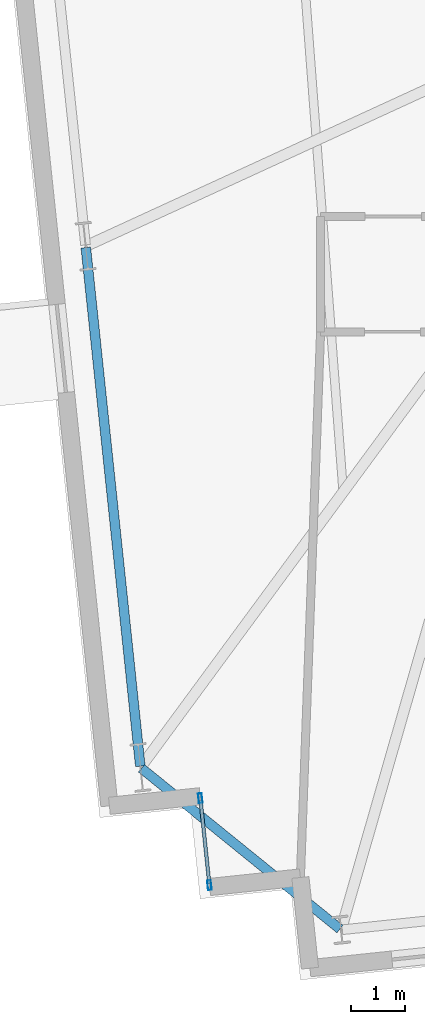
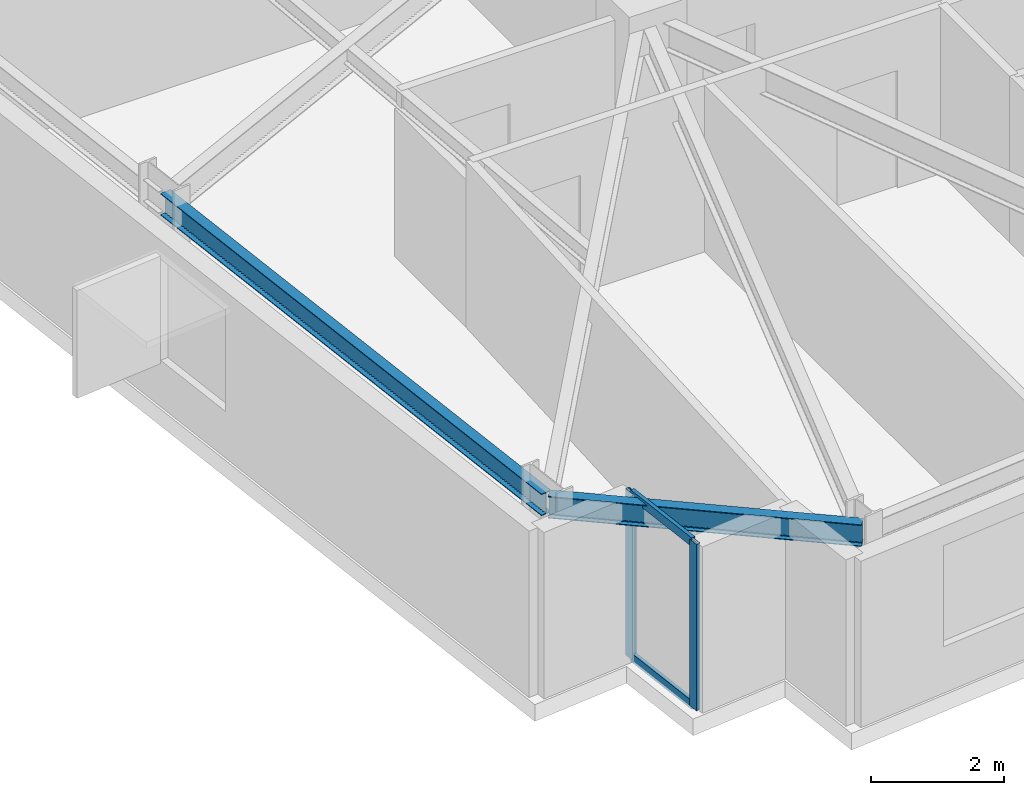
# One storey, part 4 of 18: 4 members, 2 beams, 1 element without a shape of its own.
"""IFC4 building model written with IfcOpenShell, lengths in metres."""

from ifc_helpers import new_model, si_unit, direction, frame, origin, origin_2d, place, context, subcontext, project, spatial, hollow_rectangle, i_section, extrude, material, layer, layer_set, material_profile, profile_set, type_object, element, aggregate, save


model = new_model("IFC4")

# Units and contexts
model_context = context("Model", 3, precision=1e-05, world=origin(), true_north=direction((0.0, 1.0)))
body_context = subcontext(model_context, "Body", "Model", "MODEL_VIEW")
ifc_project = project(units=[si_unit("LENGTHUNIT", "METRE"), si_unit("AREAUNIT", "SQUARE_METRE"), si_unit("VOLUMEUNIT", "CUBIC_METRE"), si_unit("PLANEANGLEUNIT", "RADIAN"), si_unit("MASSUNIT", "GRAM", prefix="KILO")], contexts=[model_context])

# Site, building, storey
site_placement = place(None, origin())
site = spatial("IfcSite", under=ifc_project, at=site_placement, CompositionType="ELEMENT")
building_placement = place(site_placement, origin())
building = spatial("IfcBuilding", under=site, at=building_placement, Name="Qobustan Lattice House", CompositionType="ELEMENT")
storey_placement = place(building_placement, frame((0.0, 0.0, 92.39990234375)))
storey = spatial("IfcBuildingStorey", under=building, at=storey_placement, Name="L25", CompositionType="ELEMENT", Elevation=92.39990234375)

# Beams
ifc_material_1 = material(Name="Steel S355", Category="steel")
ifc_material_profile_1 = material_profile(ifc_material_1, i_section(OverallWidth=0.179931640625, OverallDepth=0.39990234375, WebThickness=0.008544921875, FlangeThickness=0.013427734375, FilletRadius=0.02099609375, at=origin_2d()), Name="IPE400")
ifc_profile_set_1 = profile_set([ifc_material_profile_1], Name="Steel S355")
beam_type = type_object("IfcBeamType", Name="BM-SPD-IPE400", PredefinedType="SPANDREL", material=ifc_profile_set_1)
beam_1_placement = place(storey_placement, frame((-27.37451171875, -6.180908203125, 2.84521484375), z_axis=(0.104527826257, -0.994521962321, 0.0), x_axis=(0.994521962321, 0.104527826257, 0.0)))
element("IfcBeam", 1, at=beam_1_placement, inside=storey, type_object=beam_type, Name="L25 perimeter spandrel W3-W4", PredefinedType="SPANDREL", context=body_context, shape_type="SweptSolid", body=[
    extrude(i_section(OverallWidth=0.179931640625, OverallDepth=0.39990234375, WebThickness=0.008544921875, FlangeThickness=0.013427734375, FilletRadius=0.02099609375, at=origin_2d()), origin(), (0.0, 0.0, 1.0), 9.71630859375),
])
beam_2_placement = place(storey_placement, frame((-26.3369140625, -15.884765625, 2.84521484375), z_axis=(0.777140911545, -0.629326627121, 0.0), x_axis=(0.629326627121, 0.777140911545, 0.0)))
element("IfcBeam", 2, at=beam_2_placement, inside=storey, type_object=beam_type, Name="L25 perimeter spandrel W4-S1", PredefinedType="SPANDREL", context=body_context, shape_type="SweptSolid", body=[
    extrude(i_section(OverallWidth=0.179931640625, OverallDepth=0.39990234375, WebThickness=0.008544921875, FlangeThickness=0.013427734375, FilletRadius=0.02099609375, at=origin_2d()), origin(), (0.0, 0.0, 1.0), 4.758544921875),
])

# Curtain wall, members
ifc_material_2 = material(Name="Anodised aluminium and low-E glazing", Category="aluminium")
ifc_layer = layer(ifc_material_2, 0.219970703125)
ifc_layer_set = layer_set([ifc_layer], Name="Anodised aluminium and low-E glazing")
curtain_wall_type = type_object("IfcCurtainWallType", Name="CW-FAC-01", PredefinedType="USERDEFINED", material=ifc_layer_set)
curtain_wall_placement = place(storey_placement, origin())
curtain_wall = element("IfcCurtainWall", 3, at=curtain_wall_placement, inside=storey, type_object=curtain_wall_type, Name="L25 serrated corner faceted glazing 3", ObjectType="CURTAIN WALL", PredefinedType="USERDEFINED")
ifc_material_3 = material(Name="Anodised aluminium EN AW-6063 T6", Category="aluminium")
ifc_material_profile_2 = material_profile(ifc_material_3, hollow_rectangle(XDim=0.070068359375, YDim=0.179931640625, WallThickness=0.00439453125, at=origin_2d()), Name="CWM-180x70")
ifc_profile_set_2 = profile_set([ifc_material_profile_2], Name="Anodised aluminium EN AW-6063 T6")
member_type_1 = type_object("IfcMemberType", Name="CWM-STD-180", PredefinedType="MULLION", material=ifc_profile_set_2)
member_1_placement = place(storey_placement, frame((-25.070068359375, -18.0615234375, 0.0), z_axis=(0.0, 0.0, 1.0), x_axis=(-0.994521878892, -0.104528620025, 0.0)))
member_1 = element("IfcMember", 4, at=member_1_placement, type_object=member_type_1, Name="CW-F1 mullion 1", PredefinedType="MULLION", context=body_context, shape_type="SweptSolid", body=[
    extrude(hollow_rectangle(XDim=0.070068359375, YDim=0.179931640625, WallThickness=0.00439453125, at=origin_2d()), origin(), (0.0, 0.0, 1.0), 3.045166015625),
])
member_2_placement = place(storey_placement, frame((-25.240234375, -16.4404296875, 0.0), z_axis=(0.0, 0.0, 1.0), x_axis=(-0.994521878892, -0.104528620025, 0.0)))
member_2 = element("IfcMember", 5, at=member_2_placement, type_object=member_type_1, Name="CW-F1 mullion 2", PredefinedType="MULLION", context=body_context, shape_type="SweptSolid", body=[
    extrude(hollow_rectangle(XDim=0.070068359375, YDim=0.179931640625, WallThickness=0.00439453125, at=origin_2d()), origin(), (0.0, 0.0, 1.0), 3.045166015625),
])
ifc_material_4 = material(Name="Anodised aluminium EN AW-6063 T6", Category="aluminium")
ifc_material_profile_3 = material_profile(ifc_material_4, hollow_rectangle(XDim=0.06494140625, YDim=0.159912109375, WallThickness=0.00390625, at=origin_2d()), Name="CWT-160x65")
ifc_profile_set_3 = profile_set([ifc_material_profile_3], Name="Anodised aluminium EN AW-6063 T6")
member_type_2 = type_object("IfcMemberType", Name="CWT-HOR-160", PredefinedType="USERDEFINED", material=ifc_profile_set_3)
member_3_placement = place(storey_placement, frame((-25.07373046875, -18.02685546875, 0.03271484375), z_axis=(-0.104383362594, 0.994537135362, 0.0), x_axis=(-0.994537135362, -0.104383362594, 0.0)))
member_3 = element("IfcMember", 6, at=member_3_placement, type_object=member_type_2, Name="CW-F1 transom 1.1", ObjectType="TRANSOM", PredefinedType="USERDEFINED", context=body_context, shape_type="SweptSolid", body=[
    extrude(hollow_rectangle(XDim=0.06494140625, YDim=0.159912109375, WallThickness=0.00390625, at=origin_2d()), origin(), (0.0, 0.0, 1.0), 1.56005859375),
])
member_4_placement = place(storey_placement, frame((-25.07373046875, -18.02685546875, 3.0126953125), z_axis=(-0.104383362594, 0.994537135362, 0.0), x_axis=(-0.994537135362, -0.104383362594, 0.0)))
member_4 = element("IfcMember", 7, at=member_4_placement, type_object=member_type_2, Name="CW-F1 transom 1.2", ObjectType="TRANSOM", PredefinedType="USERDEFINED", context=body_context, shape_type="SweptSolid", body=[
    extrude(hollow_rectangle(XDim=0.06494140625, YDim=0.159912109375, WallThickness=0.00390625, at=origin_2d()), origin(), (0.0, 0.0, 1.0), 1.56005859375),
])
aggregate(curtain_wall, [member_1, member_2, member_3, member_4])

save(model, "model.ifc")
